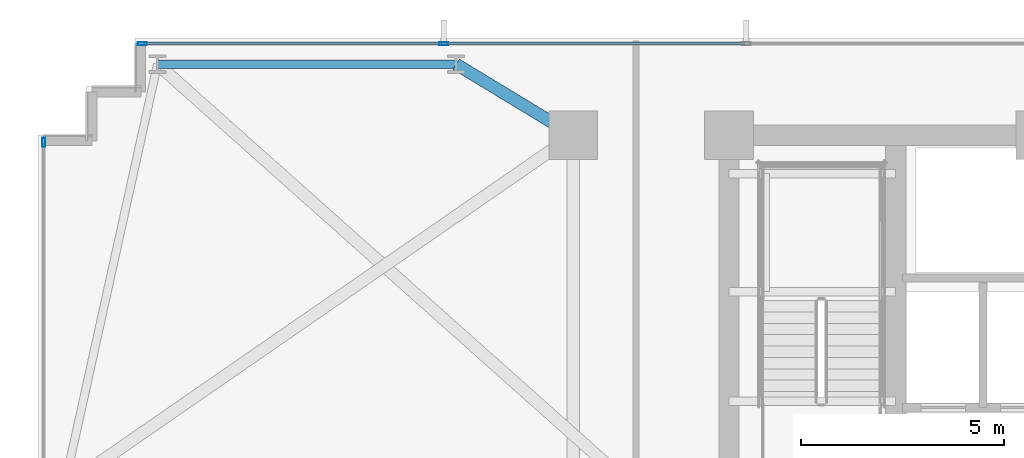
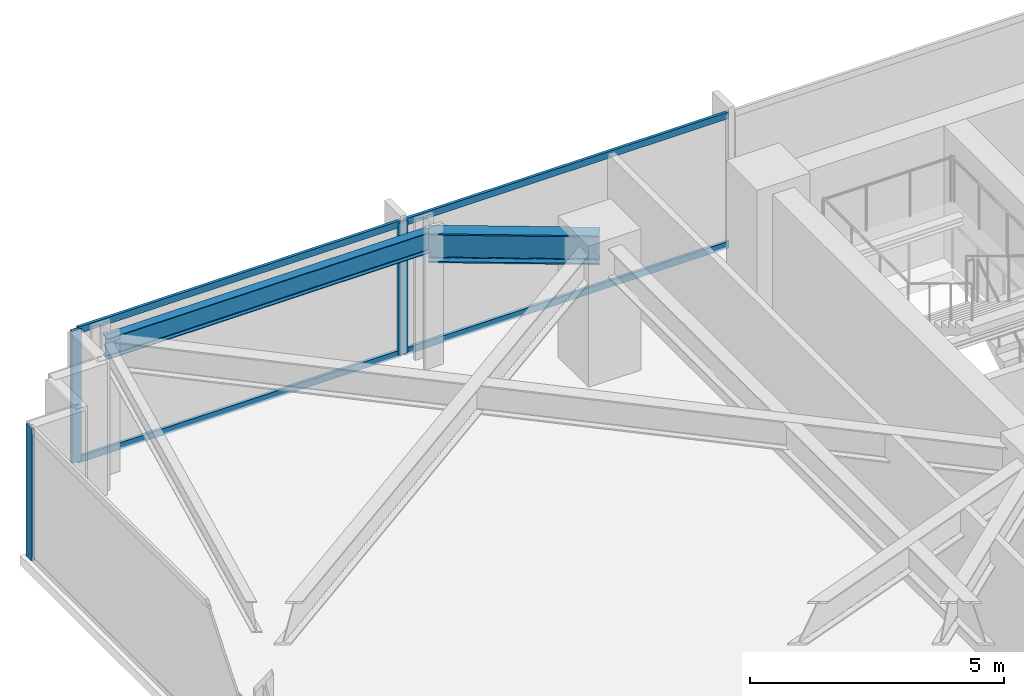
# One storey, part 17 of 32: 7 members, 2 beams, 2 elements without a shape of their own.
"""IFC4 building model written with IfcOpenShell, lengths in metres."""

from ifc_helpers import new_model, si_unit, direction, frame, origin, origin_2d, place, context, subcontext, project, spatial, hollow_rectangle, i_section, extrude, material, material_profile, profile_set, type_object, element, aggregate, save


model = new_model("IFC4")

# Units and contexts
model_context = context("Model", 3, precision=1e-05, world=origin(), true_north=direction((0.0, 1.0)))
body_context = subcontext(model_context, "Body", "Model", "MODEL_VIEW")
ifc_project = project(units=[si_unit("LENGTHUNIT", "METRE"), si_unit("AREAUNIT", "SQUARE_METRE"), si_unit("VOLUMEUNIT", "CUBIC_METRE"), si_unit("PLANEANGLEUNIT", "RADIAN"), si_unit("MASSUNIT", "GRAM", prefix="KILO")], contexts=[model_context])

# Site, building, storey
site_placement = place(None, origin())
site = spatial("IfcSite", under=ifc_project, at=site_placement, CompositionType="ELEMENT")
building_placement = place(site_placement, origin())
building = spatial("IfcBuilding", under=site, at=building_placement, Name="Yelkora Congress Tower", CompositionType="ELEMENT")
storey_placement = place(building_placement, frame((0.0, 0.0, 44.0)))
storey = spatial("IfcBuildingStorey", under=building, at=storey_placement, Name="L10", CompositionType="ELEMENT", Elevation=44.0)

# Beams
ifc_material_1 = material(Name="Steel S355J2", Category="steel")
ifc_material_profile_1 = material_profile(ifc_material_1, i_section(OverallWidth=0.300048828125, OverallDepth=0.699951171875, WebThickness=0.01708984375, FlangeThickness=0.031982421875, FilletRadius=0.027099609375, at=origin_2d()), Name="HEB 700")
ifc_profile_set_1 = profile_set([ifc_material_profile_1], Name="Steel S355J2")
beam_type_1 = type_object("IfcBeamType", Name="BM-GIRD-HEB700", PredefinedType="BEAM", material=ifc_profile_set_1)
beam_1_placement = place(storey_placement, frame((16.3125, 47.949951171875, 2.830078125), z_axis=(0.855193946581, -0.518308126244, 0.0), x_axis=(0.518308126244, 0.855193946581, 0.0)))
element("IfcBeam", 1, at=beam_1_placement, inside=storey, type_object=beam_type_1, Name="L10 Primary Frame Girder N02", PredefinedType="BEAM", context=body_context, shape_type="SweptSolid", body=[
    extrude(i_section(OverallWidth=0.300048828125, OverallDepth=0.699951171875, WebThickness=0.01708984375, FlangeThickness=0.031982421875, FilletRadius=0.027099609375, at=origin_2d()), origin(), (0.0, 0.0, 1.0), 3.37646484375),
])
ifc_material_profile_2 = material_profile(ifc_material_1, i_section(OverallWidth=0.199951171875, OverallDepth=0.5, WebThickness=0.01025390625, FlangeThickness=0.01611328125, FilletRadius=0.02099609375, at=origin_2d()), Name="IPE 500")
ifc_profile_set_2 = profile_set([ifc_material_profile_2], Name="Steel S355J2")
beam_type_2 = type_object("IfcBeamType", Name="BM-SPAN-IPE500", PredefinedType="SPANDREL", material=ifc_profile_set_2)
beam_2_placement = place(storey_placement, frame((16.3125, 47.949951171875, 2.929931640625), z_axis=(-1.0, 0.0, 0.0), x_axis=(0.0, -1.0, 0.0)))
element("IfcBeam", 2, at=beam_2_placement, inside=storey, type_object=beam_type_2, Name="L10 Perimeter Beam 16", PredefinedType="SPANDREL", context=body_context, shape_type="SweptSolid", body=[
    extrude(i_section(OverallWidth=0.199951171875, OverallDepth=0.5, WebThickness=0.01025390625, FlangeThickness=0.01611328125, FilletRadius=0.02099609375, at=origin_2d()), origin(), (0.0, 0.0, 1.0), 7.362548828125),
])

# Curtain wall, member
ifc_material_2 = material(Name="Anodised aluminium and insulated glass", Category="aluminium")
curtain_wall_type = type_object("IfcCurtainWallType", Name="CW-SYS-B1", PredefinedType="NOTDEFINED", material=ifc_material_2)
curtain_wall_1_placement = place(storey_placement, origin())
curtain_wall_1 = element("IfcCurtainWall", 3, at=curtain_wall_1_placement, inside=storey, type_object=curtain_wall_type, Name="L10 Unitised Curtain Wall 5", PredefinedType="NOTDEFINED")
ifc_material_3 = material(Name="Anodised aluminium 6063-T6", Category="aluminium")
ifc_material_profile_3 = material_profile(ifc_material_3, hollow_rectangle(XDim=0.074951171875, YDim=0.219970703125, WallThickness=0.0048828125, at=origin_2d()), Name="ALU 75x220x5")
ifc_profile_set_3 = profile_set([ifc_material_profile_3], Name="Anodised aluminium 6063-T6")
member_type_1 = type_object("IfcMemberType", Name="MEM-ML-B1", PredefinedType="MULLION", material=ifc_profile_set_3)
member_1_placement = place(storey_placement, frame((6.139892578125, 46.0224609375, 0.0), z_axis=(0.0, 0.0, 1.0), x_axis=(-1.0, 0.0, 0.0)))
member_1 = element("IfcMember", 4, at=member_1_placement, type_object=member_type_1, Name="CW-B1 mullion 5", PredefinedType="MULLION", context=body_context, shape_type="SweptSolid", body=[
    extrude(hollow_rectangle(XDim=0.074951171875, YDim=0.219970703125, WallThickness=0.0048828125, at=origin_2d()), origin(), (0.0, 0.0, 1.0), 3.179931640625),
])
aggregate(curtain_wall_1, [member_1])

# Curtain wall, members
curtain_wall_2_placement = place(storey_placement, origin())
curtain_wall_2 = element("IfcCurtainWall", 5, at=curtain_wall_2_placement, inside=storey, type_object=curtain_wall_type, Name="L10 Unitised Curtain Wall 10", PredefinedType="NOTDEFINED")
member_2_placement = place(storey_placement, frame((8.577392578125, 48.4599609375, 0.0), z_axis=(0.0, 0.0, 1.0), x_axis=(0.0, 1.0, 0.0)))
member_2 = element("IfcMember", 6, at=member_2_placement, type_object=member_type_1, Name="CW-B1 mullion 1", PredefinedType="MULLION", context=body_context, shape_type="SweptSolid", body=[
    extrude(hollow_rectangle(XDim=0.074951171875, YDim=0.219970703125, WallThickness=0.0048828125, at=origin_2d()), origin(), (0.0, 0.0, 1.0), 3.179931640625),
])
member_3_placement = place(storey_placement, frame((16.0048828125, 48.4599609375, 0.0), z_axis=(0.0, 0.0, 1.0), x_axis=(0.0, 1.0, 0.0)))
member_3 = element("IfcMember", 7, at=member_3_placement, type_object=member_type_1, Name="CW-B1 mullion 2", PredefinedType="MULLION", context=body_context, shape_type="SweptSolid", body=[
    extrude(hollow_rectangle(XDim=0.074951171875, YDim=0.219970703125, WallThickness=0.0048828125, at=origin_2d()), origin(), (0.0, 0.0, 1.0), 3.179931640625),
])
ifc_material_profile_4 = material_profile(ifc_material_3, hollow_rectangle(XDim=0.06494140625, YDim=0.159912109375, WallThickness=0.00390625, at=origin_2d()), Name="ALU 65x160x4")
ifc_profile_set_4 = profile_set([ifc_material_profile_4], Name="Anodised aluminium 6063-T6")
member_type_2 = type_object("IfcMemberType", Name="MEM-TR-B1", PredefinedType="USERDEFINED", material=ifc_profile_set_4)
member_4_placement = place(storey_placement, frame((8.614990234375, 48.4599609375, 0.032470703125), z_axis=(1.0, 0.0, 0.0), x_axis=(0.0, 1.0, 0.0)))
member_4 = element("IfcMember", 8, at=member_4_placement, type_object=member_type_2, Name="CW-B1 transom 1.1", ObjectType="TRANSOM", PredefinedType="USERDEFINED", context=body_context, shape_type="SweptSolid", body=[
    extrude(hollow_rectangle(XDim=0.06494140625, YDim=0.159912109375, WallThickness=0.00390625, at=origin_2d()), origin(), (0.0, 0.0, 1.0), 7.3525390625),
])
member_5_placement = place(storey_placement, frame((8.614990234375, 48.4599609375, 3.1474609375), z_axis=(1.0, 0.0, 0.0), x_axis=(0.0, 1.0, 0.0)))
member_5 = element("IfcMember", 9, at=member_5_placement, type_object=member_type_2, Name="CW-B1 transom 1.2", ObjectType="TRANSOM", PredefinedType="USERDEFINED", context=body_context, shape_type="SweptSolid", body=[
    extrude(hollow_rectangle(XDim=0.06494140625, YDim=0.159912109375, WallThickness=0.00390625, at=origin_2d()), origin(), (0.0, 0.0, 1.0), 7.3525390625),
])
member_6_placement = place(storey_placement, frame((16.04248046875, 48.4599609375, 0.032470703125), z_axis=(1.0, 0.0, 0.0), x_axis=(0.0, 1.0, 0.0)))
member_6 = element("IfcMember", 10, at=member_6_placement, type_object=member_type_2, Name="CW-B1 transom 2.1", ObjectType="TRANSOM", PredefinedType="USERDEFINED", context=body_context, shape_type="SweptSolid", body=[
    extrude(hollow_rectangle(XDim=0.06494140625, YDim=0.159912109375, WallThickness=0.00390625, at=origin_2d()), origin(), (0.0, 0.0, 1.0), 7.39013671875),
])
member_7_placement = place(storey_placement, frame((16.04248046875, 48.4599609375, 3.1474609375), z_axis=(1.0, 0.0, 0.0), x_axis=(0.0, 1.0, 0.0)))
member_7 = element("IfcMember", 11, at=member_7_placement, type_object=member_type_2, Name="CW-B1 transom 2.2", ObjectType="TRANSOM", PredefinedType="USERDEFINED", context=body_context, shape_type="SweptSolid", body=[
    extrude(hollow_rectangle(XDim=0.06494140625, YDim=0.159912109375, WallThickness=0.00390625, at=origin_2d()), origin(), (0.0, 0.0, 1.0), 7.39013671875),
])
aggregate(curtain_wall_2, [member_2, member_3, member_4, member_5, member_6, member_7])

save(model, "model.ifc")
